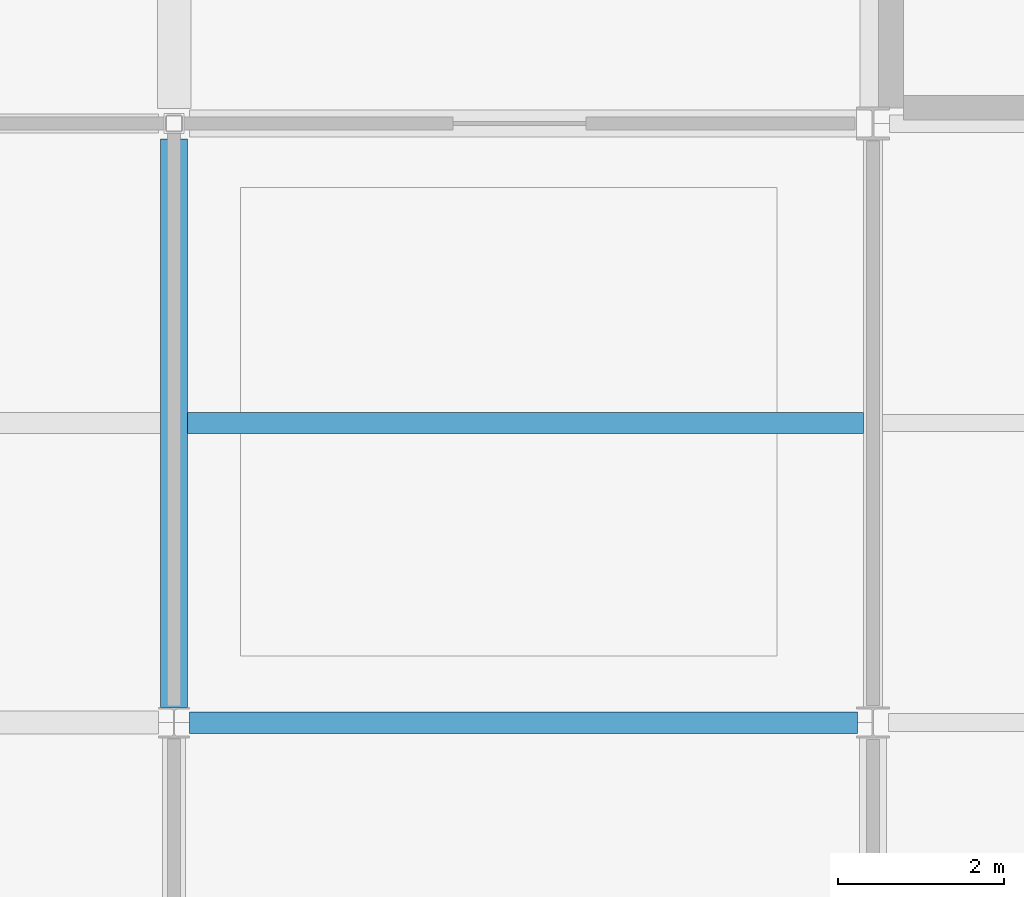
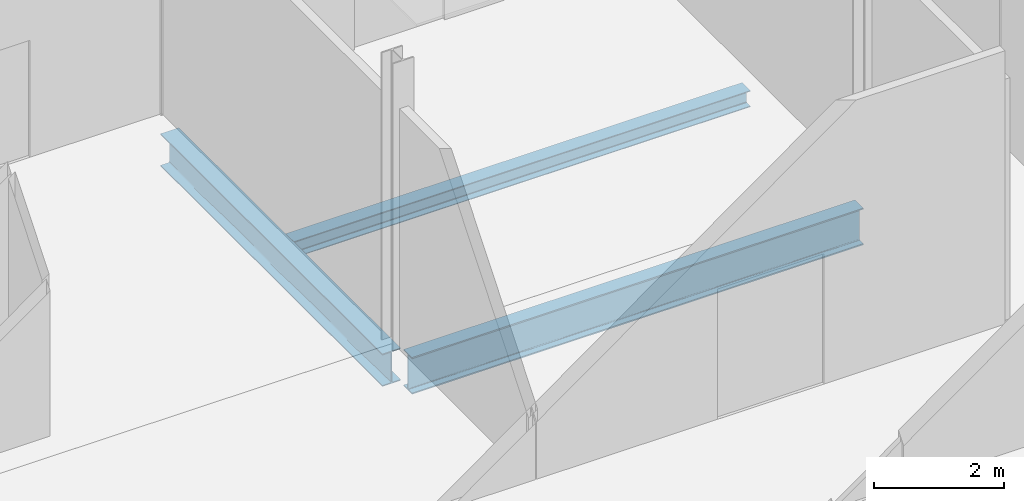
# One storey, part 51 of 229: 3 beams.
"""IFC4 building model written with IfcOpenShell, lengths in metres."""

from ifc_helpers import new_model, si_unit, direction, frame, origin, origin_2d, place, context, subcontext, project, spatial, i_section, extrude, material, material_profile, profile_set, type_object, element, save


model = new_model("IFC4")

# Units and contexts
model_context = context("Model", 3, precision=1e-05, world=origin(), true_north=direction((0.0, 1.0)))
body_context = subcontext(model_context, "Body", "Model", "MODEL_VIEW")
ifc_project = project(units=[si_unit("LENGTHUNIT", "METRE"), si_unit("AREAUNIT", "SQUARE_METRE"), si_unit("VOLUMEUNIT", "CUBIC_METRE"), si_unit("PLANEANGLEUNIT", "RADIAN"), si_unit("MASSUNIT", "GRAM", prefix="KILO")], contexts=[model_context])

# Site, building, storey
site_placement = place(None, origin())
site = spatial("IfcSite", under=ifc_project, at=site_placement, CompositionType="ELEMENT")
building_placement = place(site_placement, origin())
building = spatial("IfcBuilding", under=site, at=building_placement, Name="Calvrana Isthmian Art Gallery", CompositionType="ELEMENT")
storey_placement = place(building_placement, origin())
storey = spatial("IfcBuildingStorey", under=building, at=storey_placement, Name="L00", CompositionType="ELEMENT", Elevation=0.0)

# Beams
ifc_material = material(Name="Steel ASTM A992 Gr 50", Category="steel")
ifc_material_profile_1 = material_profile(ifc_material, i_section(OverallWidth=0.324951171875, OverallDepth=0.612060546875, WebThickness=0.0126953125, FlangeThickness=0.01904296875, FilletRadius=0.02197265625, at=origin_2d()), Name="W24X104")
ifc_profile_set_1 = profile_set([ifc_material_profile_1], Name="Steel ASTM A992 Gr 50")
beam_type_1 = type_object("IfcBeamType", Name="BM-G-W24X104", PredefinedType="BEAM", material=ifc_profile_set_1)
beam_1_placement = place(storey_placement, frame((104.39990234375, 14.58154296875, -0.591064453125), z_axis=(0.0, 1.0, 0.0), x_axis=(-1.0, 0.0, 0.0)))
element("IfcBeam", 1, at=beam_1_placement, inside=storey, type_object=beam_type_1, Name="Girder Y L00 14/C-D", PredefinedType="BEAM", context=body_context, shape_type="SweptSolid", body=[
    extrude(i_section(OverallWidth=0.324951171875, OverallDepth=0.612060546875, WebThickness=0.0126953125, FlangeThickness=0.01904296875, FilletRadius=0.02197265625, at=origin_2d()), origin(), (0.0, 0.0, 1.0), 6.83447265625),
])
ifc_material_profile_2 = material_profile(ifc_material, i_section(OverallWidth=0.257080078125, OverallDepth=0.693115234375, WebThickness=0.014404296875, FlangeThickness=0.023681640625, FilletRadius=0.02392578125, at=origin_2d()), Name="W27X114")
ifc_profile_set_2 = profile_set([ifc_material_profile_2], Name="Steel ASTM A992 Gr 50")
beam_type_2 = type_object("IfcBeamType", Name="BM-G-W27X114", PredefinedType="BEAM", material=ifc_profile_set_2)
beam_2_placement = place(storey_placement, frame((104.58544921875, 14.39990234375, -0.631591796875), z_axis=(1.0, 0.0, 0.0), x_axis=(0.0, 1.0, 0.0)))
element("IfcBeam", 2, at=beam_2_placement, inside=storey, type_object=beam_type_2, Name="Girder X L00 14-15/C", PredefinedType="BEAM", context=body_context, shape_type="SweptSolid", body=[
    extrude(i_section(OverallWidth=0.257080078125, OverallDepth=0.693115234375, WebThickness=0.014404296875, FlangeThickness=0.023681640625, FilletRadius=0.02392578125, at=origin_2d()), origin(), (0.0, 0.0, 1.0), 8.028076171875),
])
ifc_material_profile_3 = material_profile(ifc_material, i_section(OverallWidth=0.25390625, OverallDepth=0.306884765625, WebThickness=0.0087890625, FlangeThickness=0.0146484375, FilletRadius=0.01611328125, at=origin_2d()), Name="W12X53")
ifc_profile_set_3 = profile_set([ifc_material_profile_3], Name="Steel ASTM A992 Gr 50")
beam_type_3 = type_object("IfcBeamType", Name="BM-J-W12X53", PredefinedType="JOIST", material=ifc_profile_set_3)
beam_3_placement = place(storey_placement, frame((104.5625, 18.0, -0.4384765625), z_axis=(1.0, 0.0, 0.0), x_axis=(0.0, 1.0, 0.0)))
element("IfcBeam", 3, at=beam_3_placement, inside=storey, type_object=beam_type_3, Name="Composite joist L00 bay 13-02", PredefinedType="JOIST", context=body_context, shape_type="SweptSolid", body=[
    extrude(i_section(OverallWidth=0.25390625, OverallDepth=0.306884765625, WebThickness=0.0087890625, FlangeThickness=0.0146484375, FilletRadius=0.01611328125, at=origin_2d()), origin(), (0.0, 0.0, 1.0), 8.12353515625),
])

save(model, "model.ifc")
